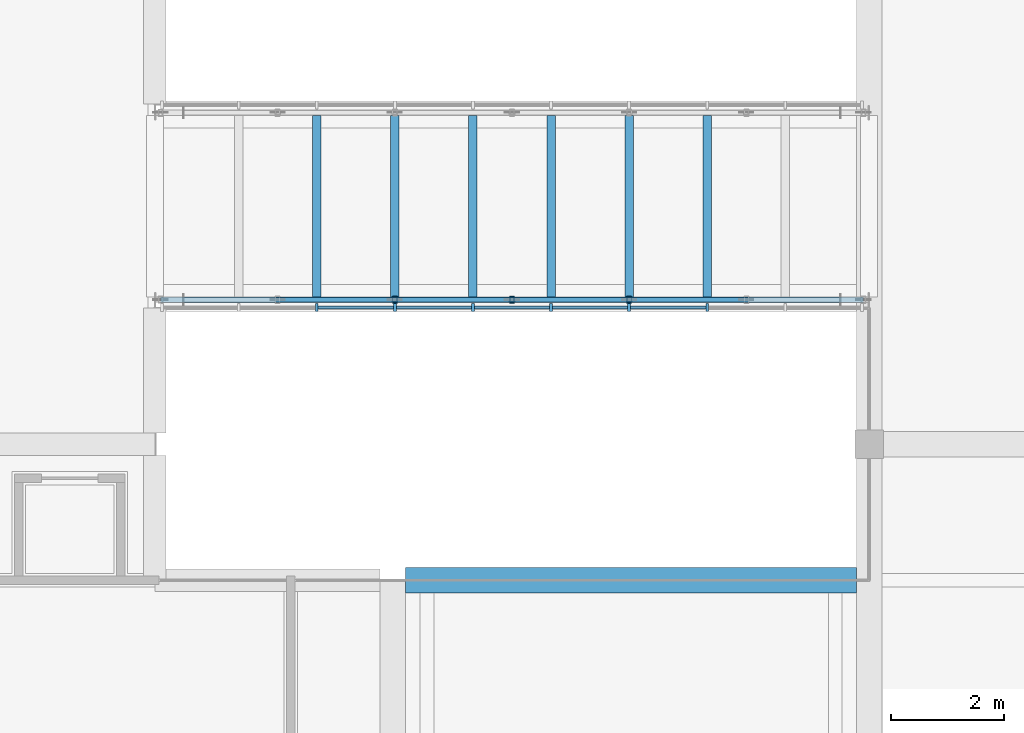
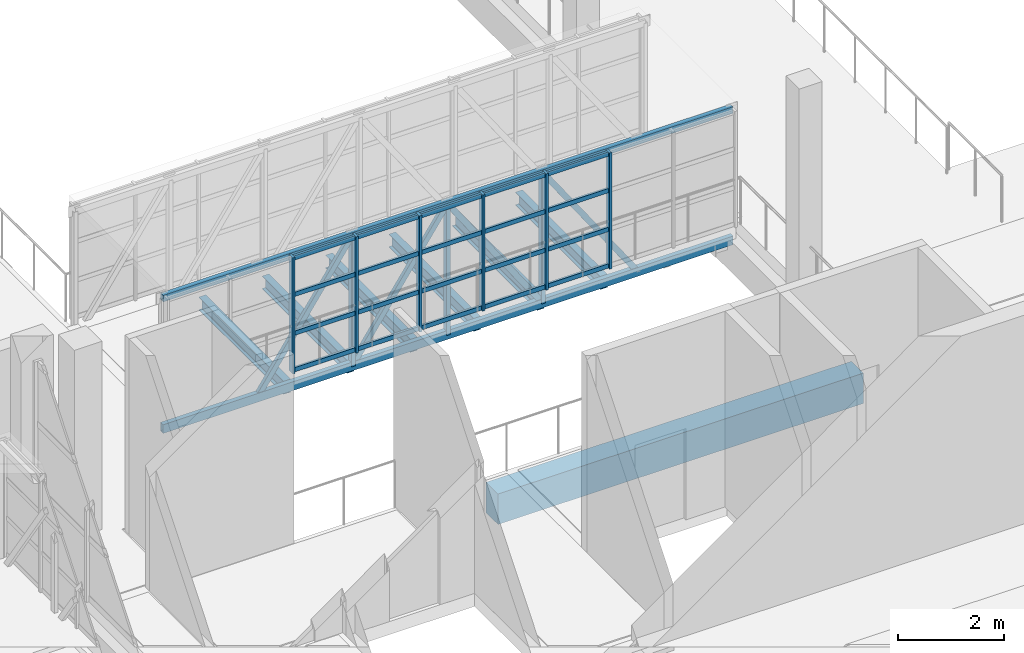
# One storey, part 16 of 67: 35 members, 7 beams, 1 element without a shape of its own.
"""IFC4 building model written with IfcOpenShell, lengths in metres."""

from ifc_helpers import new_model, si_unit, direction, frame, origin, origin_2d, place, context, subcontext, project, spatial, rectangle, hollow_rectangle, i_section, extrude, material, layer, layer_set, material_profile, profile_set, type_object, element, aggregate, save


model = new_model("IFC4")

# Units and contexts
model_context = context("Model", 3, precision=1e-05, world=origin(), true_north=direction((0.0, 1.0)))
body_context = subcontext(model_context, "Body", "Model", "MODEL_VIEW")
ifc_project = project(units=[si_unit("LENGTHUNIT", "METRE"), si_unit("AREAUNIT", "SQUARE_METRE"), si_unit("VOLUMEUNIT", "CUBIC_METRE"), si_unit("PLANEANGLEUNIT", "RADIAN"), si_unit("MASSUNIT", "GRAM", prefix="KILO")], contexts=[model_context])

# Site, building, storey
site_placement = place(None, origin())
site = spatial("IfcSite", under=ifc_project, at=site_placement, CompositionType="ELEMENT")
building_placement = place(site_placement, origin())
building = spatial("IfcBuilding", under=site, at=building_placement, Name="Kiln Court Media Centre", CompositionType="ELEMENT")
storey_placement = place(building_placement, frame((0.0, 0.0, 19.800048828125)))
storey = spatial("IfcBuildingStorey", under=building, at=storey_placement, Name="L04", CompositionType="ELEMENT", Elevation=19.800048828125)

# Curtain wall, members
ifc_material_1 = material(Name="Aluminium 6063-T6", Category="aluminium")
ifc_layer = layer(ifc_material_1, 0.1201171875)
ifc_layer_set = layer_set([ifc_layer], Name="Aluminium unitised curtain wall, bridge")
curtain_wall_type = type_object("IfcCurtainWallType", Name="Aluminium unitised curtain wall, bridge", PredefinedType="USERDEFINED", material=ifc_layer_set)
curtain_wall_placement = place(storey_placement, origin())
curtain_wall = element("IfcCurtainWall", 1, at=curtain_wall_placement, inside=storey, type_object=curtain_wall_type, Name="BR-L04-FOY-11 side glazing", ObjectType="UNITISED CURTAIN WALL", PredefinedType="USERDEFINED")
ifc_material_2 = material(Name="Aluminium 6063-T6", Category="aluminium")
ifc_material_profile_1 = material_profile(ifc_material_2, rectangle(XDim=0.050048828125, YDim=0.139892578125, at=origin_2d()), Name="Aluminium hall mullion 50x140")
ifc_profile_set_1 = profile_set([ifc_material_profile_1], Name="Aluminium 6063-T6")
member_type_1 = type_object("IfcMemberType", Name="Aluminium hall mullion 50x140", PredefinedType="MULLION", material=ifc_profile_set_1)
member_1_placement = place(storey_placement, frame((40.655517578125, 36.014892578125, 0.0), z_axis=(0.0, 0.0, 1.0), x_axis=(1.0, 0.0, 0.0)))
member_1 = element("IfcMember", 2, at=member_1_placement, type_object=member_type_1, Name="CW4-67 mullion 3", PredefinedType="MULLION", context=body_context, shape_type="SweptSolid", body=[
    extrude(rectangle(XDim=0.050048828125, YDim=0.139892578125, at=origin_2d()), origin(), (0.0, 0.0, 1.0), 2.675048828125),
])
member_2_placement = place(storey_placement, frame((42.033447265625, 36.014892578125, 0.0), z_axis=(0.0, 0.0, 1.0), x_axis=(1.0, 0.0, 0.0)))
member_2 = element("IfcMember", 3, at=member_2_placement, type_object=member_type_1, Name="CW4-67 mullion 4", PredefinedType="MULLION", context=body_context, shape_type="SweptSolid", body=[
    extrude(rectangle(XDim=0.050048828125, YDim=0.139892578125, at=origin_2d()), origin(), (0.0, 0.0, 1.0), 2.675048828125),
])
member_3_placement = place(storey_placement, frame((43.4111328125, 36.014892578125, 0.0), z_axis=(0.0, 0.0, 1.0), x_axis=(1.0, 0.0, 0.0)))
member_3 = element("IfcMember", 4, at=member_3_placement, type_object=member_type_1, Name="CW4-67 mullion 5", PredefinedType="MULLION", context=body_context, shape_type="SweptSolid", body=[
    extrude(rectangle(XDim=0.050048828125, YDim=0.139892578125, at=origin_2d()), origin(), (0.0, 0.0, 1.0), 2.675048828125),
])
member_4_placement = place(storey_placement, frame((44.788818359375, 36.014892578125, 0.0), z_axis=(0.0, 0.0, 1.0), x_axis=(1.0, 0.0, 0.0)))
member_4 = element("IfcMember", 5, at=member_4_placement, type_object=member_type_1, Name="CW4-67 mullion 6", PredefinedType="MULLION", context=body_context, shape_type="SweptSolid", body=[
    extrude(rectangle(XDim=0.050048828125, YDim=0.139892578125, at=origin_2d()), origin(), (0.0, 0.0, 1.0), 2.675048828125),
])
member_5_placement = place(storey_placement, frame((46.166748046875, 36.014892578125, 0.0), z_axis=(0.0, 0.0, 1.0), x_axis=(1.0, 0.0, 0.0)))
member_5 = element("IfcMember", 6, at=member_5_placement, type_object=member_type_1, Name="CW4-67 mullion 7", PredefinedType="MULLION", context=body_context, shape_type="SweptSolid", body=[
    extrude(rectangle(XDim=0.050048828125, YDim=0.139892578125, at=origin_2d()), origin(), (0.0, 0.0, 1.0), 2.675048828125),
])
member_6_placement = place(storey_placement, frame((47.54443359375, 36.014892578125, 0.0), z_axis=(0.0, 0.0, 1.0), x_axis=(1.0, 0.0, 0.0)))
member_6 = element("IfcMember", 7, at=member_6_placement, type_object=member_type_1, Name="CW4-67 mullion 8", PredefinedType="MULLION", context=body_context, shape_type="SweptSolid", body=[
    extrude(rectangle(XDim=0.050048828125, YDim=0.139892578125, at=origin_2d()), origin(), (0.0, 0.0, 1.0), 2.675048828125),
])
ifc_material_3 = material(Name="Aluminium 6063-T6", Category="aluminium")
ifc_material_profile_2 = material_profile(ifc_material_3, rectangle(XDim=0.050048828125, YDim=0.10009765625, at=origin_2d()), Name="Aluminium hall transom 50x100")
ifc_profile_set_2 = profile_set([ifc_material_profile_2], Name="Aluminium 6063-T6")
member_type_2 = type_object("IfcMemberType", Name="Aluminium hall transom 50x100", PredefinedType="USERDEFINED", material=ifc_profile_set_2)
member_7_placement = place(storey_placement, frame((40.6806640625, 36.014892578125, 0.050048828125), z_axis=(1.0, 0.0, 0.0), x_axis=(0.0, 1.0, 0.0)))
member_7 = element("IfcMember", 8, at=member_7_placement, type_object=member_type_2, Name="CW4-67 transom 3.1", ObjectType="TRANSOM", PredefinedType="USERDEFINED", context=body_context, shape_type="SweptSolid", body=[
    extrude(rectangle(XDim=0.050048828125, YDim=0.10009765625, at=origin_2d()), origin(), (0.0, 0.0, 1.0), 1.32763671875),
])
member_8_placement = place(storey_placement, frame((40.6806640625, 36.014892578125, 0.8916015625), z_axis=(1.0, 0.0, 0.0), x_axis=(0.0, 1.0, 0.0)))
member_8 = element("IfcMember", 9, at=member_8_placement, type_object=member_type_2, Name="CW4-67 transom 3.2", ObjectType="TRANSOM", PredefinedType="USERDEFINED", context=body_context, shape_type="SweptSolid", body=[
    extrude(rectangle(XDim=0.050048828125, YDim=0.10009765625, at=origin_2d()), origin(), (0.0, 0.0, 1.0), 1.32763671875),
])
member_9_placement = place(storey_placement, frame((40.6806640625, 36.014892578125, 1.783203125), z_axis=(1.0, 0.0, 0.0), x_axis=(0.0, 1.0, 0.0)))
member_9 = element("IfcMember", 10, at=member_9_placement, type_object=member_type_2, Name="CW4-67 transom 3.3", ObjectType="TRANSOM", PredefinedType="USERDEFINED", context=body_context, shape_type="SweptSolid", body=[
    extrude(rectangle(XDim=0.050048828125, YDim=0.10009765625, at=origin_2d()), origin(), (0.0, 0.0, 1.0), 1.32763671875),
])
member_10_placement = place(storey_placement, frame((40.6806640625, 36.014892578125, 2.625), z_axis=(1.0, 0.0, 0.0), x_axis=(0.0, 1.0, 0.0)))
member_10 = element("IfcMember", 11, at=member_10_placement, type_object=member_type_2, Name="CW4-67 transom 3.4", ObjectType="TRANSOM", PredefinedType="USERDEFINED", context=body_context, shape_type="SweptSolid", body=[
    extrude(rectangle(XDim=0.050048828125, YDim=0.10009765625, at=origin_2d()), origin(), (0.0, 0.0, 1.0), 1.32763671875),
])
member_11_placement = place(storey_placement, frame((42.058349609375, 36.014892578125, 0.050048828125), z_axis=(1.0, 0.0, 0.0), x_axis=(0.0, 1.0, 0.0)))
member_11 = element("IfcMember", 12, at=member_11_placement, type_object=member_type_2, Name="CW4-67 transom 4.1", ObjectType="TRANSOM", PredefinedType="USERDEFINED", context=body_context, shape_type="SweptSolid", body=[
    extrude(rectangle(XDim=0.050048828125, YDim=0.10009765625, at=origin_2d()), origin(), (0.0, 0.0, 1.0), 1.327880859375),
])
member_12_placement = place(storey_placement, frame((42.058349609375, 36.014892578125, 0.8916015625), z_axis=(1.0, 0.0, 0.0), x_axis=(0.0, 1.0, 0.0)))
member_12 = element("IfcMember", 13, at=member_12_placement, type_object=member_type_2, Name="CW4-67 transom 4.2", ObjectType="TRANSOM", PredefinedType="USERDEFINED", context=body_context, shape_type="SweptSolid", body=[
    extrude(rectangle(XDim=0.050048828125, YDim=0.10009765625, at=origin_2d()), origin(), (0.0, 0.0, 1.0), 1.327880859375),
])
member_13_placement = place(storey_placement, frame((42.058349609375, 36.014892578125, 1.783203125), z_axis=(1.0, 0.0, 0.0), x_axis=(0.0, 1.0, 0.0)))
member_13 = element("IfcMember", 14, at=member_13_placement, type_object=member_type_2, Name="CW4-67 transom 4.3", ObjectType="TRANSOM", PredefinedType="USERDEFINED", context=body_context, shape_type="SweptSolid", body=[
    extrude(rectangle(XDim=0.050048828125, YDim=0.10009765625, at=origin_2d()), origin(), (0.0, 0.0, 1.0), 1.327880859375),
])
member_14_placement = place(storey_placement, frame((42.058349609375, 36.014892578125, 2.625), z_axis=(1.0, 0.0, 0.0), x_axis=(0.0, 1.0, 0.0)))
member_14 = element("IfcMember", 15, at=member_14_placement, type_object=member_type_2, Name="CW4-67 transom 4.4", ObjectType="TRANSOM", PredefinedType="USERDEFINED", context=body_context, shape_type="SweptSolid", body=[
    extrude(rectangle(XDim=0.050048828125, YDim=0.10009765625, at=origin_2d()), origin(), (0.0, 0.0, 1.0), 1.327880859375),
])
member_15_placement = place(storey_placement, frame((43.43603515625, 36.014892578125, 0.050048828125), z_axis=(1.0, 0.0, 0.0), x_axis=(0.0, 1.0, 0.0)))
member_15 = element("IfcMember", 16, at=member_15_placement, type_object=member_type_2, Name="CW4-67 transom 5.1", ObjectType="TRANSOM", PredefinedType="USERDEFINED", context=body_context, shape_type="SweptSolid", body=[
    extrude(rectangle(XDim=0.050048828125, YDim=0.10009765625, at=origin_2d()), origin(), (0.0, 0.0, 1.0), 1.327880859375),
])
member_16_placement = place(storey_placement, frame((43.43603515625, 36.014892578125, 0.8916015625), z_axis=(1.0, 0.0, 0.0), x_axis=(0.0, 1.0, 0.0)))
member_16 = element("IfcMember", 17, at=member_16_placement, type_object=member_type_2, Name="CW4-67 transom 5.2", ObjectType="TRANSOM", PredefinedType="USERDEFINED", context=body_context, shape_type="SweptSolid", body=[
    extrude(rectangle(XDim=0.050048828125, YDim=0.10009765625, at=origin_2d()), origin(), (0.0, 0.0, 1.0), 1.327880859375),
])
member_17_placement = place(storey_placement, frame((43.43603515625, 36.014892578125, 1.783203125), z_axis=(1.0, 0.0, 0.0), x_axis=(0.0, 1.0, 0.0)))
member_17 = element("IfcMember", 18, at=member_17_placement, type_object=member_type_2, Name="CW4-67 transom 5.3", ObjectType="TRANSOM", PredefinedType="USERDEFINED", context=body_context, shape_type="SweptSolid", body=[
    extrude(rectangle(XDim=0.050048828125, YDim=0.10009765625, at=origin_2d()), origin(), (0.0, 0.0, 1.0), 1.327880859375),
])
member_18_placement = place(storey_placement, frame((43.43603515625, 36.014892578125, 2.625), z_axis=(1.0, 0.0, 0.0), x_axis=(0.0, 1.0, 0.0)))
member_18 = element("IfcMember", 19, at=member_18_placement, type_object=member_type_2, Name="CW4-67 transom 5.4", ObjectType="TRANSOM", PredefinedType="USERDEFINED", context=body_context, shape_type="SweptSolid", body=[
    extrude(rectangle(XDim=0.050048828125, YDim=0.10009765625, at=origin_2d()), origin(), (0.0, 0.0, 1.0), 1.327880859375),
])
member_19_placement = place(storey_placement, frame((44.81396484375, 36.014892578125, 0.050048828125), z_axis=(1.0, 0.0, 0.0), x_axis=(0.0, 1.0, 0.0)))
member_19 = element("IfcMember", 20, at=member_19_placement, type_object=member_type_2, Name="CW4-67 transom 6.1", ObjectType="TRANSOM", PredefinedType="USERDEFINED", context=body_context, shape_type="SweptSolid", body=[
    extrude(rectangle(XDim=0.050048828125, YDim=0.10009765625, at=origin_2d()), origin(), (0.0, 0.0, 1.0), 1.32763671875),
])
member_20_placement = place(storey_placement, frame((44.81396484375, 36.014892578125, 0.8916015625), z_axis=(1.0, 0.0, 0.0), x_axis=(0.0, 1.0, 0.0)))
member_20 = element("IfcMember", 21, at=member_20_placement, type_object=member_type_2, Name="CW4-67 transom 6.2", ObjectType="TRANSOM", PredefinedType="USERDEFINED", context=body_context, shape_type="SweptSolid", body=[
    extrude(rectangle(XDim=0.050048828125, YDim=0.10009765625, at=origin_2d()), origin(), (0.0, 0.0, 1.0), 1.32763671875),
])
member_21_placement = place(storey_placement, frame((44.81396484375, 36.014892578125, 1.783203125), z_axis=(1.0, 0.0, 0.0), x_axis=(0.0, 1.0, 0.0)))
member_21 = element("IfcMember", 22, at=member_21_placement, type_object=member_type_2, Name="CW4-67 transom 6.3", ObjectType="TRANSOM", PredefinedType="USERDEFINED", context=body_context, shape_type="SweptSolid", body=[
    extrude(rectangle(XDim=0.050048828125, YDim=0.10009765625, at=origin_2d()), origin(), (0.0, 0.0, 1.0), 1.32763671875),
])
member_22_placement = place(storey_placement, frame((44.81396484375, 36.014892578125, 2.625), z_axis=(1.0, 0.0, 0.0), x_axis=(0.0, 1.0, 0.0)))
member_22 = element("IfcMember", 23, at=member_22_placement, type_object=member_type_2, Name="CW4-67 transom 6.4", ObjectType="TRANSOM", PredefinedType="USERDEFINED", context=body_context, shape_type="SweptSolid", body=[
    extrude(rectangle(XDim=0.050048828125, YDim=0.10009765625, at=origin_2d()), origin(), (0.0, 0.0, 1.0), 1.32763671875),
])
member_23_placement = place(storey_placement, frame((46.191650390625, 36.014892578125, 0.050048828125), z_axis=(1.0, 0.0, 0.0), x_axis=(0.0, 1.0, 0.0)))
member_23 = element("IfcMember", 24, at=member_23_placement, type_object=member_type_2, Name="CW4-67 transom 7.1", ObjectType="TRANSOM", PredefinedType="USERDEFINED", context=body_context, shape_type="SweptSolid", body=[
    extrude(rectangle(XDim=0.050048828125, YDim=0.10009765625, at=origin_2d()), origin(), (0.0, 0.0, 1.0), 1.327880859375),
])
member_24_placement = place(storey_placement, frame((46.191650390625, 36.014892578125, 0.8916015625), z_axis=(1.0, 0.0, 0.0), x_axis=(0.0, 1.0, 0.0)))
member_24 = element("IfcMember", 25, at=member_24_placement, type_object=member_type_2, Name="CW4-67 transom 7.2", ObjectType="TRANSOM", PredefinedType="USERDEFINED", context=body_context, shape_type="SweptSolid", body=[
    extrude(rectangle(XDim=0.050048828125, YDim=0.10009765625, at=origin_2d()), origin(), (0.0, 0.0, 1.0), 1.327880859375),
])
member_25_placement = place(storey_placement, frame((46.191650390625, 36.014892578125, 1.783203125), z_axis=(1.0, 0.0, 0.0), x_axis=(0.0, 1.0, 0.0)))
member_25 = element("IfcMember", 26, at=member_25_placement, type_object=member_type_2, Name="CW4-67 transom 7.3", ObjectType="TRANSOM", PredefinedType="USERDEFINED", context=body_context, shape_type="SweptSolid", body=[
    extrude(rectangle(XDim=0.050048828125, YDim=0.10009765625, at=origin_2d()), origin(), (0.0, 0.0, 1.0), 1.327880859375),
])
member_26_placement = place(storey_placement, frame((46.191650390625, 36.014892578125, 2.625), z_axis=(1.0, 0.0, 0.0), x_axis=(0.0, 1.0, 0.0)))
member_26 = element("IfcMember", 27, at=member_26_placement, type_object=member_type_2, Name="CW4-67 transom 7.4", ObjectType="TRANSOM", PredefinedType="USERDEFINED", context=body_context, shape_type="SweptSolid", body=[
    extrude(rectangle(XDim=0.050048828125, YDim=0.10009765625, at=origin_2d()), origin(), (0.0, 0.0, 1.0), 1.327880859375),
])
aggregate(curtain_wall, [member_1, member_2, member_3, member_4, member_5, member_6, member_7, member_8, member_9, member_10, member_11, member_12, member_13, member_14, member_15, member_16, member_17, member_18, member_19, member_20, member_21, member_22, member_23, member_24, member_25, member_26])

# Beam
ifc_material_4 = material(Name="Concrete C30/37", Category="concrete")
ifc_material_profile_3 = material_profile(ifc_material_4, rectangle(XDim=0.449951171875, YDim=0.699951171875, at=origin_2d()), Name="RC 450x700")
ifc_profile_set_3 = profile_set([ifc_material_profile_3], Name="Concrete C30/37")
beam_type_1 = type_object("IfcBeamType", Name="Concrete C30/37 beam 450x700", PredefinedType="BEAM", material=ifc_profile_set_3)
beam_placement = place(storey_placement, frame((42.22509765625, 31.199951171875, -0.650146484375), z_axis=(1.0, 0.0, 0.0), x_axis=(0.0, 1.0, 0.0)))
element("IfcBeam", 28, at=beam_placement, inside=storey, type_object=beam_type_1, Name="L04-B-1115", PredefinedType="BEAM", context=body_context, shape_type="SweptSolid", body=[
    extrude(rectangle(XDim=0.449951171875, YDim=0.699951171875, at=origin_2d()), origin(), (0.0, 0.0, 1.0), 7.949951171875),
])

# Members
ifc_material_5 = material(Name="Steel ASTM A500 Gr C", Category="steel")
ifc_material_profile_4 = material_profile(ifc_material_5, hollow_rectangle(XDim=0.080078125, YDim=0.1201171875, WallThickness=0.00634765625, at=origin_2d()), Name="RHS 120x80x6.3")
ifc_profile_set_4 = profile_set([ifc_material_profile_4], Name="Steel ASTM A500 Gr C")
member_type_3 = type_object("IfcMemberType", Name="Steel ASTM A500 Gr C RHS 120x80x6.3 bridge truss web", PredefinedType="BRACE", material=ifc_profile_set_4)
for number, where, z_axis, x_axis, name in (
    (29, (42.033203125, 36.14990234375, -0.400146484375), (0.0, 0.0, 1.0), (1.0, 0.0, 0.0), "bridge BR-L04-FOY-11 side truss 1 post 3 bridge truss web"),
    (30, (44.10009765625, 36.14990234375, -0.400146484375), (0.0, 0.0, 1.0), (1.0, 0.0, 0.0), "bridge BR-L04-FOY-11 side truss 1 post 4 bridge truss web"),
    (31, (46.166748046875, 36.14990234375, -0.400146484375), (0.0, 0.0, 1.0), (1.0, 0.0, 0.0), "bridge BR-L04-FOY-11 side truss 1 post 5 bridge truss web"),
):
    element("IfcMember", number, at=place(storey_placement, frame(where, z_axis=z_axis, x_axis=x_axis)), inside=storey, type_object=member_type_3, Name=name, PredefinedType="BRACE", context=body_context, shape_type="SweptSolid", body=[
        extrude(hollow_rectangle(XDim=0.080078125, YDim=0.1201171875, WallThickness=0.00634765625, at=origin_2d()), origin(), (0.0, 0.0, 1.0), 3.0),
    ])
member_27_placement = place(storey_placement, frame((39.966796875, 36.14990234375, -0.400146484375), z_axis=(0.56725675467, 0.0, 0.823540997329), x_axis=(0.0, 1.0, 0.0)))
element("IfcMember", 32, at=member_27_placement, inside=storey, type_object=member_type_3, Name="bridge BR-L04-FOY-11 side truss 1 diagonal 2 bridge truss web", PredefinedType="BRACE", context=body_context, shape_type="SweptSolid", body=[
    extrude(hollow_rectangle(XDim=0.080078125, YDim=0.1201171875, WallThickness=0.00634765625, at=origin_2d()), origin(), (0.0, 0.0, 1.0), 3.642822265625),
])
for number, where, z_axis, x_axis, name in (
    (33, (42.033203125, 36.14990234375, -0.400146484375), (0.567347652797, 0.0, 0.823478379113), (0.0, 1.0, 0.0), "bridge BR-L04-FOY-11 side truss 1 diagonal 3 bridge truss web"),
    (34, (44.10009765625, 36.14990234375, 2.599853515625), (0.567302206325, 0.0, -0.823509688284), (0.0, 1.0, 0.0), "bridge BR-L04-FOY-11 side truss 1 diagonal 4 bridge truss web"),
    (35, (46.166748046875, 36.14990234375, 2.599853515625), (0.567302206325, 0.0, -0.823509688284), (0.0, 1.0, 0.0), "bridge BR-L04-FOY-11 side truss 1 diagonal 5 bridge truss web"),
):
    element("IfcMember", number, at=place(storey_placement, frame(where, z_axis=z_axis, x_axis=x_axis)), inside=storey, type_object=member_type_3, Name=name, PredefinedType="BRACE", context=body_context, shape_type="SweptSolid", body=[
        extrude(hollow_rectangle(XDim=0.080078125, YDim=0.1201171875, WallThickness=0.00634765625, at=origin_2d()), origin(), (0.0, 0.0, 1.0), 3.64306640625),
    ])
ifc_material_6 = material(Name="Steel ASTM A500 Gr C", Category="steel")
ifc_material_profile_5 = material_profile(ifc_material_6, hollow_rectangle(XDim=0.10009765625, YDim=0.14990234375, WallThickness=0.008056640625, at=origin_2d()), Name="RHS 150x100x8.0")
ifc_profile_set_5 = profile_set([ifc_material_profile_5], Name="Steel ASTM A500 Gr C")
member_type_4 = type_object("IfcMemberType", Name="Steel ASTM A500 Gr C RHS 150x100x8.0 bridge truss chord", PredefinedType="CHORD", material=ifc_profile_set_5)
member_28_placement = place(storey_placement, frame((37.89990234375, 36.14990234375, 2.599853515625), z_axis=(1.0, 0.0, 0.0), x_axis=(0.0, 1.0, 0.0)))
element("IfcMember", 36, at=member_28_placement, inside=storey, type_object=member_type_4, Name="bridge BR-L04-FOY-11 side truss 1 top chord bridge truss chord", PredefinedType="CHORD", context=body_context, shape_type="SweptSolid", body=[
    extrude(hollow_rectangle(XDim=0.10009765625, YDim=0.14990234375, WallThickness=0.008056640625, at=origin_2d()), origin(), (0.0, 0.0, 1.0), 12.400146484375),
])
ifc_material_7 = material(Name="Steel ASTM A500 Gr C", Category="steel")
ifc_material_profile_6 = material_profile(ifc_material_7, hollow_rectangle(XDim=0.10009765625, YDim=0.199951171875, WallThickness=0.008056640625, at=origin_2d()), Name="RHS 200x100x8.0")
ifc_profile_set_6 = profile_set([ifc_material_profile_6], Name="Steel ASTM A500 Gr C")
member_type_5 = type_object("IfcMemberType", Name="Steel ASTM A500 Gr C RHS 200x100x8.0 bridge truss chord", PredefinedType="CHORD", material=ifc_profile_set_6)
member_29_placement = place(storey_placement, frame((37.89990234375, 36.14990234375, -0.400146484375), z_axis=(1.0, 0.0, 0.0), x_axis=(0.0, 1.0, 0.0)))
element("IfcMember", 37, at=member_29_placement, inside=storey, type_object=member_type_5, Name="bridge BR-L04-FOY-11 side truss 1 bottom chord bridge truss chord", PredefinedType="CHORD", context=body_context, shape_type="SweptSolid", body=[
    extrude(hollow_rectangle(XDim=0.10009765625, YDim=0.199951171875, WallThickness=0.008056640625, at=origin_2d()), origin(), (0.0, 0.0, 1.0), 12.400146484375),
])

# Beams
ifc_material_8 = material(Name="Steel ASTM A572 Gr 50", Category="steel")
ifc_material_profile_7 = material_profile(ifc_material_8, i_section(OverallWidth=0.14990234375, OverallDepth=0.300048828125, WebThickness=0.007080078125, FlangeThickness=0.0107421875, FilletRadius=0.014892578125, at=origin_2d()), Name="IPE 300")
ifc_profile_set_7 = profile_set([ifc_material_profile_7], Name="Steel ASTM A572 Gr 50")
beam_type_2 = type_object("IfcBeamType", Name="Steel ASTM A572 Gr 50 IPE 300 bridge floor beam", PredefinedType="BEAM", material=ifc_profile_set_7)
for number, where, z_axis, x_axis, name in (
    (38, (40.655517578125, 36.199951171875, -0.449951171875), (0.0, 1.0, 0.0), (-1.0, 0.0, 0.0), "bridge BR-L04-FOY-11 floor beam 2 bridge floor beam"),
    (39, (42.033203125, 36.199951171875, -0.449951171875), (0.0, 1.0, 0.0), (-1.0, 0.0, 0.0), "bridge BR-L04-FOY-11 floor beam 3 bridge floor beam"),
    (40, (43.4111328125, 36.199951171875, -0.449951171875), (0.0, 1.0, 0.0), (-1.0, 0.0, 0.0), "bridge BR-L04-FOY-11 floor beam 4 bridge floor beam"),
    (41, (44.788818359375, 36.199951171875, -0.449951171875), (0.0, 1.0, 0.0), (-1.0, 0.0, 0.0), "bridge BR-L04-FOY-11 floor beam 5 bridge floor beam"),
    (42, (46.166748046875, 36.199951171875, -0.449951171875), (0.0, 1.0, 0.0), (-1.0, 0.0, 0.0), "bridge BR-L04-FOY-11 floor beam 6 bridge floor beam"),
    (43, (47.54443359375, 36.199951171875, -0.449951171875), (0.0, 1.0, 0.0), (-1.0, 0.0, 0.0), "bridge BR-L04-FOY-11 floor beam 7 bridge floor beam"),
):
    element("IfcBeam", number, at=place(storey_placement, frame(where, z_axis=z_axis, x_axis=x_axis)), inside=storey, type_object=beam_type_2, Name=name, PredefinedType="BEAM", context=body_context, shape_type="SweptSolid", body=[
        extrude(i_section(OverallWidth=0.14990234375, OverallDepth=0.300048828125, WebThickness=0.007080078125, FlangeThickness=0.0107421875, FilletRadius=0.014892578125, at=origin_2d()), origin(), (0.0, 0.0, 1.0), 3.199951171875),
    ])

save(model, "model.ifc")
